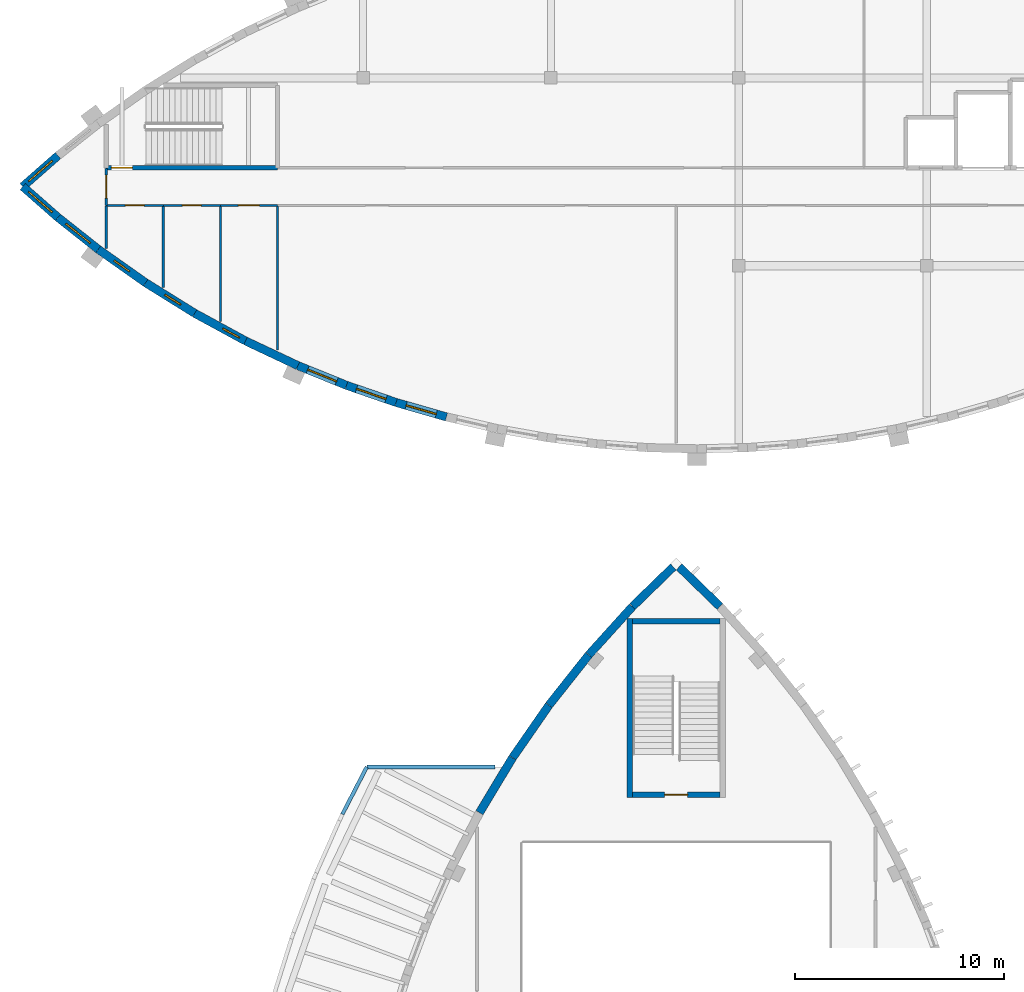
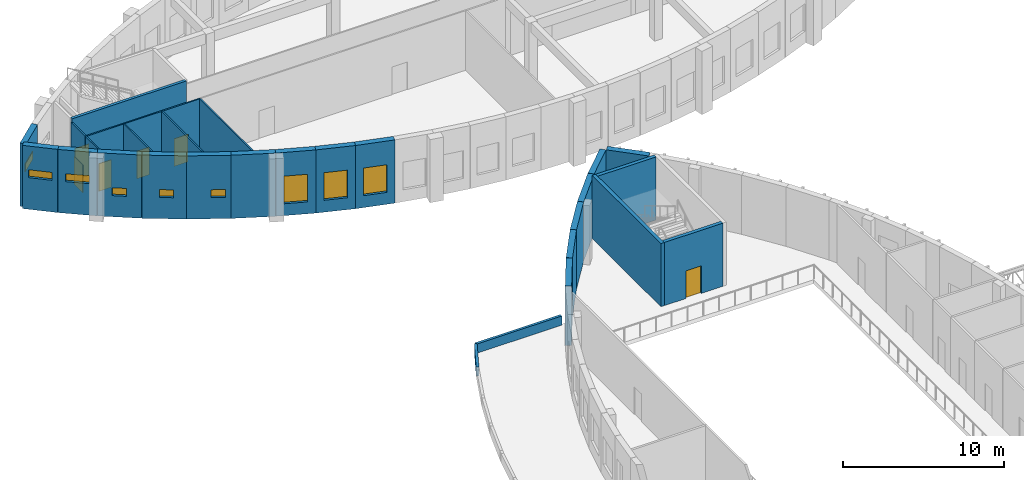
# One storey, part 64 of 93: 30 walls, 9 windows, 6 doors, 15 openings.
"""IFC4 building model written with IfcOpenShell, lengths in metres."""

from ifc_helpers import new_model, si_unit, direction, frame, frame_2d, origin, place, context, subcontext, project, spatial, rectangle, extrude, material, layer, layer_set, type_object, element, fill, save


model = new_model("IFC4")

# Units and contexts
model_context = context("Model", 3, precision=1e-05, world=origin(), true_north=direction((0.0, 1.0)))
body_context = subcontext(model_context, "Body", "Model", "MODEL_VIEW")
ifc_project = project(units=[si_unit("LENGTHUNIT", "METRE"), si_unit("AREAUNIT", "SQUARE_METRE"), si_unit("VOLUMEUNIT", "CUBIC_METRE"), si_unit("PLANEANGLEUNIT", "RADIAN"), si_unit("MASSUNIT", "GRAM", prefix="KILO")], contexts=[model_context])

# Site, building, storey
site_placement = place(None, origin())
site = spatial("IfcSite", under=ifc_project, at=site_placement, CompositionType="ELEMENT")
building_placement = place(site_placement, origin())
building = spatial("IfcBuilding", under=site, at=building_placement, Name="Tide Square Theatres", CompositionType="ELEMENT")
storey_placement = place(building_placement, frame((0.0, 0.0, 5.39990234375)))
storey = spatial("IfcBuildingStorey", under=building, at=storey_placement, Name="L01", CompositionType="ELEMENT", Elevation=5.39990234375)

# Wall
ifc_material_1 = material(Name="Gypsum board on steel studs", Category="steel")
ifc_layer_1 = layer(ifc_material_1, 0.10009765625)
ifc_layer_set_1 = layer_set([ifc_layer_1], Name="Gypsum board on steel studs")
wall_type_1 = type_object("IfcWallType", Name="Partition 100 thick", PredefinedType="PARTITIONING", material=ifc_layer_set_1)
wall_1_placement = place(storey_placement, frame((8.699951171875, 94.8291015625, 0.0), z_axis=(0.0, 0.0, 1.0), x_axis=(0.0, 1.0, 0.0)))
element("IfcWall", 1, at=wall_1_placement, inside=storey, type_object=wall_type_1, Name="Scenery Workshops partition", PredefinedType="PARTITIONING", context=body_context, shape_type="SweptSolid", body=[
    extrude(rectangle(XDim=2.041015625, YDim=0.10009765625, at=frame_2d((1.0205078125, 0.0))), origin(), (0.0, 0.0, 1.0), 4.52001953125),
])

# Wall, opening, door
wall_2_placement = place(storey_placement, frame((11.433349609375, 96.89990234375, 0.0), z_axis=(0.0, 0.0, 1.0), x_axis=(-1.0, 0.0, 0.0)))
wall_2 = element("IfcWall", 2, at=wall_2_placement, inside=storey, type_object=wall_type_1, Name="Scenery Workshops partition", PredefinedType="PARTITIONING", context=body_context, shape_type="SweptSolid", body=[
    extrude(rectangle(XDim=2.7333984375, YDim=0.10009765625, at=frame_2d((1.36669921875, 0.0))), origin(), (0.0, 0.0, 1.0), 4.52001953125),
])
opening_1_placement = place(wall_2_placement, frame((0.916748046875, 0.0, 0.0)))
opening_1 = element("IfcOpeningElement", 3, at=opening_1_placement, cuts=wall_2, Name="Opening W1-01", PredefinedType="OPENING", context=body_context, shape_type="SweptSolid", body=[
    extrude(rectangle(XDim=0.89990234375, YDim=2.10009765625, at=frame_2d((0.449951171875, 1.050048828125))), frame((0.0, 0.06005859375, 0.0), z_axis=(0.0, -1.0, 0.0), x_axis=(1.0, 0.0, 0.0)), (0.0, 0.0, 1.0), 0.1201171875),
])
ifc_material_2 = material(Name="Hardwood timber", Category="wood")
door_type_1 = type_object("IfcDoorType", Name="Door 900 x 2100 single leaf", OperationType="NOTDEFINED", PredefinedType="DOOR", material=ifc_material_2)
door_1_placement = place(opening_1_placement, origin())
door_1 = element("IfcDoor", 4, at=door_1_placement, inside=storey, type_object=door_type_1, Name="Scenery Workshops door W1-01 to Gents WC W", OperationType="SINGLE_SWING_RIGHT", OverallHeight=2.10009765625, OverallWidth=0.89990234375, PredefinedType="DOOR", context=body_context, shape_type="SweptSolid", body=[
    extrude(rectangle(XDim=0.89990234375, YDim=2.10009765625, at=frame_2d((0.449951171875, 1.050048828125))), frame((0.0, 0.02490234375, 0.0), z_axis=(0.0, -1.0, 0.0), x_axis=(1.0, 0.0, 0.0)), (0.0, 0.0, 1.0), 0.050048828125),
])
fill(opening_1, door_1)

wall_3_placement = place(storey_placement, frame((8.699951171875, 96.89990234375, 0.0), z_axis=(0.0, 0.0, 1.0), x_axis=(0.0, 1.0, 0.0)))
wall_3 = element("IfcWall", 5, at=wall_3_placement, inside=storey, type_object=wall_type_1, Name="Scenery Workshops partition", PredefinedType="PARTITIONING", context=body_context, shape_type="SweptSolid", body=[
    extrude(rectangle(XDim=1.77001953125, YDim=0.10009765625, at=frame_2d((0.885009765625, 0.0))), origin(), (0.0, 0.0, 1.0), 4.52001953125),
])
opening_2_placement = place(wall_3_placement, frame((0.35009765625, 0.0, 0.0)))
opening_2 = element("IfcOpeningElement", 6, at=opening_2_placement, cuts=wall_3, Name="Opening W1-07", PredefinedType="OPENING", context=body_context, shape_type="SweptSolid", body=[
    extrude(rectangle(XDim=1.10009765625, YDim=2.10009765625, at=frame_2d((0.550048828125, 1.050048828125))), frame((0.0, 0.06005859375, 0.0), z_axis=(0.0, -1.0, 0.0), x_axis=(1.0, 0.0, 0.0)), (0.0, 0.0, 1.0), 0.1201171875),
])
ifc_material_3 = material(Name="Painted steel", Category="steel")
door_type_2 = type_object("IfcDoorType", Name="Door 1100 x 2100 single leaf", OperationType="NOTDEFINED", PredefinedType="DOOR", material=ifc_material_3)
door_2_placement = place(opening_2_placement, origin())
door_2 = element("IfcDoor", 7, at=door_2_placement, inside=storey, type_object=door_type_2, Name="Scenery Workshops door W1-07 to Plant Room W", OperationType="SINGLE_SWING_RIGHT", OverallHeight=2.10009765625, OverallWidth=1.10009765625, PredefinedType="DOOR", context=body_context, shape_type="SweptSolid", body=[
    extrude(rectangle(XDim=1.10009765625, YDim=2.10009765625, at=frame_2d((0.550048828125, 1.050048828125))), frame((0.0, 0.02490234375, 0.0), z_axis=(0.0, -1.0, 0.0), x_axis=(1.0, 0.0, 0.0)), (0.0, 0.0, 1.0), 0.050048828125),
])
fill(opening_2, door_2)

# Wall
wall_4_placement = place(storey_placement, frame((11.433349609375, 96.860107421875, 0.0), z_axis=(0.0, 0.0, 1.0), x_axis=(0.0, -1.0, 0.0)))
element("IfcWall", 8, at=wall_4_placement, inside=storey, type_object=wall_type_1, Name="Scenery Workshops partition", PredefinedType="PARTITIONING", context=body_context, shape_type="SweptSolid", body=[
    extrude(rectangle(XDim=3.900390625, YDim=0.10009765625, at=frame_2d((1.9501953125, 0.0))), origin(), (0.0, 0.0, 1.0), 4.52001953125),
])

# Wall, opening, door
wall_5_placement = place(storey_placement, frame((14.166748046875, 96.89990234375, 0.0), z_axis=(0.0, 0.0, 1.0), x_axis=(-1.0, 0.0, 0.0)))
wall_5 = element("IfcWall", 9, at=wall_5_placement, inside=storey, type_object=wall_type_1, Name="Scenery Workshops partition", PredefinedType="PARTITIONING", context=body_context, shape_type="SweptSolid", body=[
    extrude(rectangle(XDim=2.7333984375, YDim=0.10009765625, at=frame_2d((1.36669921875, 0.0))), origin(), (0.0, 0.0, 1.0), 4.52001953125),
])
opening_3_placement = place(wall_5_placement, frame((0.916748046875, 0.0, 0.0)))
opening_3 = element("IfcOpeningElement", 10, at=opening_3_placement, cuts=wall_5, Name="Opening W1-02", PredefinedType="OPENING", context=body_context, shape_type="SweptSolid", body=[
    extrude(rectangle(XDim=0.89990234375, YDim=2.10009765625, at=frame_2d((0.449951171875, 1.050048828125))), frame((0.0, 0.06005859375, 0.0), z_axis=(0.0, -1.0, 0.0), x_axis=(1.0, 0.0, 0.0)), (0.0, 0.0, 1.0), 0.1201171875),
])
door_3_placement = place(opening_3_placement, origin())
door_3 = element("IfcDoor", 11, at=door_3_placement, inside=storey, type_object=door_type_1, Name="Scenery Workshops door W1-02 to Ladies WC W", OperationType="SINGLE_SWING_RIGHT", OverallHeight=2.10009765625, OverallWidth=0.89990234375, PredefinedType="DOOR", context=body_context, shape_type="SweptSolid", body=[
    extrude(rectangle(XDim=0.89990234375, YDim=2.10009765625, at=frame_2d((0.449951171875, 1.050048828125))), frame((0.0, 0.02490234375, 0.0), z_axis=(0.0, -1.0, 0.0), x_axis=(1.0, 0.0, 0.0)), (0.0, 0.0, 1.0), 0.050048828125),
])
fill(opening_3, door_3)

# Wall
wall_6_placement = place(storey_placement, frame((14.166748046875, 96.860107421875, 0.0), z_axis=(0.0, 0.0, 1.0), x_axis=(0.0, -1.0, 0.0)))
element("IfcWall", 12, at=wall_6_placement, inside=storey, type_object=wall_type_1, Name="Scenery Workshops partition", PredefinedType="PARTITIONING", context=body_context, shape_type="SweptSolid", body=[
    extrude(rectangle(XDim=5.51513671875, YDim=0.10009765625, at=frame_2d((2.757568359375, 0.0))), origin(), (0.0, 0.0, 1.0), 4.52001953125),
])

# Wall, opening, door
wall_7_placement = place(storey_placement, frame((16.89990234375, 96.89990234375, 0.0), z_axis=(0.0, 0.0, 1.0), x_axis=(-1.0, 0.0, 0.0)))
wall_7 = element("IfcWall", 13, at=wall_7_placement, inside=storey, type_object=wall_type_1, Name="Scenery Workshops partition", PredefinedType="PARTITIONING", context=body_context, shape_type="SweptSolid", body=[
    extrude(rectangle(XDim=2.733154296875, YDim=0.10009765625, at=frame_2d((1.36669921875, 0.0))), origin(), (0.0, 0.0, 1.0), 4.52001953125),
])
opening_4_placement = place(wall_7_placement, frame((0.86669921875, 0.0, 0.0)))
opening_4 = element("IfcOpeningElement", 14, at=opening_4_placement, cuts=wall_7, Name="Opening W1-03", PredefinedType="OPENING", context=body_context, shape_type="SweptSolid", body=[
    extrude(rectangle(XDim=1.0, YDim=2.10009765625, at=frame_2d((0.5, 1.050048828125))), frame((0.0, 0.06005859375, 0.0), z_axis=(0.0, -1.0, 0.0), x_axis=(1.0, 0.0, 0.0)), (0.0, 0.0, 1.0), 0.1201171875),
])
ifc_material_4 = material(Name="Hardwood timber", Category="wood")
door_type_3 = type_object("IfcDoorType", Name="Door 1000 x 2100 single leaf", OperationType="NOTDEFINED", PredefinedType="DOOR", material=ifc_material_4)
door_4_placement = place(opening_4_placement, origin())
door_4 = element("IfcDoor", 15, at=door_4_placement, inside=storey, type_object=door_type_3, Name="Scenery Workshops door W1-03 to Accessible WC W", OperationType="SINGLE_SWING_RIGHT", OverallHeight=2.10009765625, OverallWidth=1.0, PredefinedType="DOOR", context=body_context, shape_type="SweptSolid", body=[
    extrude(rectangle(XDim=1.0, YDim=2.10009765625, at=frame_2d((0.5, 1.050048828125))), frame((0.0, 0.02490234375, 0.0), z_axis=(0.0, -1.0, 0.0), x_axis=(1.0, 0.0, 0.0)), (0.0, 0.0, 1.0), 0.050048828125),
])
fill(opening_4, door_4)

# Walls
wall_8_placement = place(storey_placement, frame((16.89990234375, 96.8701171875, 0.0), z_axis=(0.0, 0.0, 1.0), x_axis=(0.0, -1.0, 0.0)))
element("IfcWall", 16, at=wall_8_placement, inside=storey, type_object=wall_type_1, Name="Scenery Workshops partition", PredefinedType="PARTITIONING", context=body_context, shape_type="SweptSolid", body=[
    extrude(rectangle(XDim=6.909912109375, YDim=0.10009765625, at=frame_2d((3.455078125, 0.0))), origin(), (0.0, 0.0, 1.0), 4.52001953125),
])
ifc_material_5 = material(Name="Concrete C40", Category="concrete")
ifc_layer_2 = layer(ifc_material_5, 0.39990234375)
ifc_layer_set_2 = layer_set([ifc_layer_2], Name="Concrete C40")
wall_type_2 = type_object("IfcWallType", Name="RC curved wall 400 thick", PredefinedType="SOLIDWALL", material=ifc_layer_set_2)
for number, where, z_axis, x_axis, name in (
    (17, (38.094482421875, 77.686279296875, 0.0), (0.0, 0.0, 1.0), (-0.717243568607, 0.696822547922, 0.0), "Studio Theatre perimeter wall"),
    (18, (35.860595703125, 79.585693359375, 0.0), (0.0, 0.0, 1.0), (-0.717243568607, -0.696822547922, 0.0), "Studio Theatre perimeter wall"),
):
    element("IfcWall", number, at=place(storey_placement, frame(where, z_axis=z_axis, x_axis=x_axis)), inside=storey, type_object=wall_type_2, Name=name, PredefinedType="SOLIDWALL", context=body_context, shape_type="SweptSolid", body=[
        extrude(rectangle(XDim=2.725830078125, YDim=0.39990234375, at=frame_2d((1.36279296875, 0.0))), origin(), (0.0, 0.0, 1.0), 4.5),
    ])
wall_9_placement = place(storey_placement, frame((33.896484375, 77.677001953125, 0.0), z_axis=(0.0, 0.0, 1.0), x_axis=(-0.67038553216, -0.742012963681, 0.0)))
element("IfcWall", 19, at=wall_9_placement, inside=storey, type_object=wall_type_2, Name="Studio Theatre perimeter wall", PredefinedType="SOLIDWALL", context=body_context, shape_type="SweptSolid", body=[
    extrude(rectangle(XDim=3.101806640625, YDim=0.39990234375, at=frame_2d((1.55078125, 0.0))), origin(), (0.0, 0.0, 1.0), 4.5),
])
for number, where, z_axis, x_axis, name in (
    (20, (31.808837890625, 75.36572265625, 0.0), (0.0, 0.0, 1.0), (-0.620958553355, -0.783843399548, 0.0), "Studio Theatre perimeter wall"),
    (21, (29.90234375, 72.95849609375, 0.0), (0.0, 0.0, 1.0), (-0.569371892655, -0.822080073871, 0.0), "Studio Theatre perimeter wall"),
):
    element("IfcWall", number, at=place(storey_placement, frame(where, z_axis=z_axis, x_axis=x_axis)), inside=storey, type_object=wall_type_2, Name=name, PredefinedType="SOLIDWALL", context=body_context, shape_type="SweptSolid", body=[
        extrude(rectangle(XDim=3.0576171875, YDim=0.39990234375, at=frame_2d((1.52880859375, 0.0))), origin(), (0.0, 0.0, 1.0), 4.5),
    ])
wall_10_placement = place(storey_placement, frame((28.154296875, 70.43408203125, 0.0), z_axis=(0.0, 0.0, 1.0), x_axis=(-0.515387841983, -0.856957042293, 0.0)))
element("IfcWall", 22, at=wall_10_placement, inside=storey, type_object=wall_type_2, Name="Studio Theatre perimeter wall", PredefinedType="SOLIDWALL", context=body_context, shape_type="SweptSolid", body=[
    extrude(rectangle(XDim=3.057861328125, YDim=0.39990234375, at=frame_2d((1.52880859375, 0.0))), origin(), (0.0, 0.0, 1.0), 4.5),
])

# Wall, opening, window
wall_11_placement = place(storey_placement, frame((4.703125, 97.800048828125, 0.0), z_axis=(0.0, 0.0, 1.0), x_axis=(0.751212351098, -0.660060605973, 0.0)))
wall_11 = element("IfcWall", 23, at=wall_11_placement, inside=storey, type_object=wall_type_2, Name="Scenery Workshops perimeter wall 000", PredefinedType="SOLIDWALL", context=body_context, shape_type="SweptSolid", body=[
    extrude(rectangle(XDim=2.24169921875, YDim=0.39990234375, at=frame_2d((1.120849609375, 0.0))), origin(), (0.0, 0.0, 1.0), 4.800048828125),
])
opening_5_placement = place(wall_11_placement, frame((0.370849609375, 0.0, 2.39990234375)))
opening_5 = element("IfcOpeningElement", 24, at=opening_5_placement, cuts=wall_11, Name="Opening WN-05", PredefinedType="OPENING", context=body_context, shape_type="SweptSolid", body=[
    extrude(rectangle(XDim=1.5, YDim=0.60009765625, at=frame_2d((0.75, 0.300048828125))), frame((0.0, 0.2099609375, 0.0), z_axis=(0.0, -1.0, 0.0), x_axis=(1.0, 0.0, 0.0)), (0.0, 0.0, 1.0), 0.419921875),
])
ifc_material_6 = material(Name="Aluminium with laminated glass", Category="aluminium")
window_type_1 = type_object("IfcWindowType", Name="Window 1500 x 600", PartitioningType="SINGLE_PANEL", PredefinedType="WINDOW", material=ifc_material_6)
window_1_placement = place(opening_5_placement, origin())
window_1 = element("IfcWindow", 25, at=window_1_placement, inside=storey, type_object=window_type_1, Name="Scenery Workshops window L01-44", OverallHeight=0.60009765625, OverallWidth=1.5, PartitioningType="SINGLE_PANEL", PredefinedType="WINDOW", context=body_context, shape_type="SweptSolid", body=[
    extrude(rectangle(XDim=1.5, YDim=0.60009765625, at=frame_2d((0.75, 0.300048828125))), frame((0.0, 0.030029296875, 0.0), z_axis=(0.0, -1.0, 0.0), x_axis=(1.0, 0.0, 0.0)), (0.0, 0.0, 1.0), 0.06005859375),
])
fill(opening_5, window_1)

wall_12_placement = place(storey_placement, frame((6.38720703125, 96.3203125, 0.0), z_axis=(0.0, 0.0, 1.0), x_axis=(0.784278812541, -0.620408530082, 0.0)))
wall_12 = element("IfcWall", 26, at=wall_12_placement, inside=storey, type_object=wall_type_2, Name="Scenery Workshops perimeter wall 001", PredefinedType="SOLIDWALL", context=body_context, shape_type="SweptSolid", body=[
    extrude(rectangle(XDim=2.464111328125, YDim=0.39990234375, at=frame_2d((1.23193359375, 0.0))), origin(), (0.0, 0.0, 1.0), 4.800048828125),
])
opening_6_placement = place(wall_12_placement, frame((0.48193359375, 0.0, 2.39990234375)))
opening_6 = element("IfcOpeningElement", 27, at=opening_6_placement, cuts=wall_12, Name="Opening WN-05", PredefinedType="OPENING", context=body_context, shape_type="SweptSolid", body=[
    extrude(rectangle(XDim=1.5, YDim=0.60009765625, at=frame_2d((0.75, 0.300048828125))), frame((0.0, 0.2099609375, 0.0), z_axis=(0.0, -1.0, 0.0), x_axis=(1.0, 0.0, 0.0)), (0.0, 0.0, 1.0), 0.419921875),
])
window_2_placement = place(opening_6_placement, origin())
window_2 = element("IfcWindow", 28, at=window_2_placement, inside=storey, type_object=window_type_1, Name="Scenery Workshops window L01-45", OverallHeight=0.60009765625, OverallWidth=1.5, PartitioningType="SINGLE_PANEL", PredefinedType="WINDOW", context=body_context, shape_type="SweptSolid", body=[
    extrude(rectangle(XDim=1.5, YDim=0.60009765625, at=frame_2d((0.75, 0.300048828125))), frame((0.0, 0.030029296875, 0.0), z_axis=(0.0, -1.0, 0.0), x_axis=(1.0, 0.0, 0.0)), (0.0, 0.0, 1.0), 0.06005859375),
])
fill(opening_6, window_2)

wall_13_placement = place(storey_placement, frame((8.31982421875, 94.79150390625, 0.0), z_axis=(0.0, 0.0, 1.0), x_axis=(0.817028877428, -0.576596751161, 0.0)))
wall_13 = element("IfcWall", 29, at=wall_13_placement, inside=storey, type_object=wall_type_2, Name="Scenery Workshops perimeter wall 002", PredefinedType="SOLIDWALL", context=body_context, shape_type="SweptSolid", body=[
    extrude(rectangle(XDim=2.772216796875, YDim=0.39990234375, at=frame_2d((1.38623046875, 0.0))), origin(), (0.0, 0.0, 1.0), 4.800048828125),
])
opening_7_placement = place(wall_13_placement, frame((0.93603515625, 0.0, 1.60009765625)))
opening_7 = element("IfcOpeningElement", 30, at=opening_7_placement, cuts=wall_13, Name="Opening WN-12", PredefinedType="OPENING", context=body_context, shape_type="SweptSolid", body=[
    extrude(rectangle(XDim=0.89990234375, YDim=0.60009765625, at=frame_2d((0.449951171875, 0.300048828125))), frame((0.0, 0.2099609375, 0.0), z_axis=(0.0, -1.0, 0.0), x_axis=(1.0, 0.0, 0.0)), (0.0, 0.0, 1.0), 0.419921875),
])
ifc_material_7 = material(Name="Aluminium with laminated glass", Category="aluminium")
window_type_2 = type_object("IfcWindowType", Name="Window 900 x 600", PartitioningType="SINGLE_PANEL", PredefinedType="WINDOW", material=ifc_material_7)
window_3_placement = place(opening_7_placement, origin())
window_3 = element("IfcWindow", 31, at=window_3_placement, inside=storey, type_object=window_type_2, Name="Scenery Workshops window L01-46", OverallHeight=0.60009765625, OverallWidth=0.89990234375, PartitioningType="SINGLE_PANEL", PredefinedType="WINDOW", context=body_context, shape_type="SweptSolid", body=[
    extrude(rectangle(XDim=0.89990234375, YDim=0.60009765625, at=frame_2d((0.449951171875, 0.300048828125))), frame((0.0, 0.030029296875, 0.0), z_axis=(0.0, -1.0, 0.0), x_axis=(1.0, 0.0, 0.0)), (0.0, 0.0, 1.0), 0.06005859375),
])
fill(opening_7, window_3)

wall_14_placement = place(storey_placement, frame((10.584716796875, 93.193115234375, 0.0), z_axis=(0.0, 0.0, 1.0), x_axis=(0.84912946359, -0.528184772653, 0.0)))
wall_14 = element("IfcWall", 32, at=wall_14_placement, inside=storey, type_object=wall_type_2, Name="Scenery Workshops perimeter wall 003", PredefinedType="SOLIDWALL", context=body_context, shape_type="SweptSolid", body=[
    extrude(rectangle(XDim=2.77197265625, YDim=0.39990234375, at=frame_2d((1.385986328125, 0.0))), origin(), (0.0, 0.0, 1.0), 4.800048828125),
])
opening_8_placement = place(wall_14_placement, frame((1.0859375, 0.0, 1.60009765625)))
opening_8 = element("IfcOpeningElement", 33, at=opening_8_placement, cuts=wall_14, Name="Opening WN-12", PredefinedType="OPENING", context=body_context, shape_type="SweptSolid", body=[
    extrude(rectangle(XDim=0.89990234375, YDim=0.60009765625, at=frame_2d((0.449951171875, 0.300048828125))), frame((0.0, 0.2099609375, 0.0), z_axis=(0.0, -1.0, 0.0), x_axis=(1.0, 0.0, 0.0)), (0.0, 0.0, 1.0), 0.419921875),
])
window_4_placement = place(opening_8_placement, origin())
window_4 = element("IfcWindow", 34, at=window_4_placement, inside=storey, type_object=window_type_2, Name="Scenery Workshops window L01-47", OverallHeight=0.60009765625, OverallWidth=0.89990234375, PartitioningType="SINGLE_PANEL", PredefinedType="WINDOW", context=body_context, shape_type="SweptSolid", body=[
    extrude(rectangle(XDim=0.89990234375, YDim=0.60009765625, at=frame_2d((0.449951171875, 0.300048828125))), frame((0.0, 0.030029296875, 0.0), z_axis=(0.0, -1.0, 0.0), x_axis=(1.0, 0.0, 0.0)), (0.0, 0.0, 1.0), 0.06005859375),
])
fill(opening_8, window_4)

wall_15_placement = place(storey_placement, frame((12.9384765625, 91.72900390625, 0.0), z_axis=(0.0, 0.0, 1.0), x_axis=(0.878292493566, -0.478123724308, 0.0)))
wall_15 = element("IfcWall", 35, at=wall_15_placement, inside=storey, type_object=wall_type_2, Name="Scenery Workshops perimeter wall 004", PredefinedType="SOLIDWALL", context=body_context, shape_type="SweptSolid", body=[
    extrude(rectangle(XDim=2.771728515625, YDim=0.39990234375, at=frame_2d((1.3857421875, 0.0))), origin(), (0.0, 0.0, 1.0), 4.800048828125),
])
opening_9_placement = place(wall_15_placement, frame((1.535888671875, 0.0, 1.60009765625)))
opening_9 = element("IfcOpeningElement", 36, at=opening_9_placement, cuts=wall_15, Name="Opening WN-12", PredefinedType="OPENING", context=body_context, shape_type="SweptSolid", body=[
    extrude(rectangle(XDim=0.89990234375, YDim=0.60009765625, at=frame_2d((0.449951171875, 0.300048828125))), frame((0.0, 0.2099609375, 0.0), z_axis=(0.0, -1.0, 0.0), x_axis=(1.0, 0.0, 0.0)), (0.0, 0.0, 1.0), 0.419921875),
])
window_5_placement = place(opening_9_placement, origin())
window_5 = element("IfcWindow", 37, at=window_5_placement, inside=storey, type_object=window_type_2, Name="Scenery Workshops window L01-48", OverallHeight=0.60009765625, OverallWidth=0.89990234375, PartitioningType="SINGLE_PANEL", PredefinedType="WINDOW", context=body_context, shape_type="SweptSolid", body=[
    extrude(rectangle(XDim=0.89990234375, YDim=0.60009765625, at=frame_2d((0.449951171875, 0.300048828125))), frame((0.0, 0.030029296875, 0.0), z_axis=(0.0, -1.0, 0.0), x_axis=(1.0, 0.0, 0.0)), (0.0, 0.0, 1.0), 0.06005859375),
])
fill(opening_9, window_5)

# Wall
wall_16_placement = place(storey_placement, frame((15.372802734375, 90.40380859375, 0.0), z_axis=(0.0, 0.0, 1.0), x_axis=(0.904527098751, -0.42641614372, 0.0)))
element("IfcWall", 38, at=wall_16_placement, inside=storey, type_object=wall_type_2, Name="Scenery Workshops perimeter wall 005", PredefinedType="SOLIDWALL", context=body_context, shape_type="SweptSolid", body=[
    extrude(rectangle(XDim=2.772216796875, YDim=0.39990234375, at=frame_2d((1.38623046875, 0.0))), origin(), (0.0, 0.0, 1.0), 4.800048828125),
])

# Wall, opening, window
wall_17_placement = place(storey_placement, frame((17.88037109375, 89.2216796875, 0.0), z_axis=(0.0, 0.0, 1.0), x_axis=(0.926722795862, -0.375745738007, 0.0)))
wall_17 = element("IfcWall", 39, at=wall_17_placement, inside=storey, type_object=wall_type_2, Name="Scenery Workshops perimeter wall 006", PredefinedType="SOLIDWALL", context=body_context, shape_type="SweptSolid", body=[
    extrude(rectangle(XDim=2.5107421875, YDim=0.39990234375, at=frame_2d((1.25537109375, 0.0))), origin(), (0.0, 0.0, 1.0), 4.800048828125),
])
opening_10_placement = place(wall_17_placement, frame((0.50537109375, 0.0, 0.89990234375)))
opening_10 = element("IfcOpeningElement", 40, at=opening_10_placement, cuts=wall_17, Name="Opening WN-01", PredefinedType="OPENING", context=body_context, shape_type="SweptSolid", body=[
    extrude(rectangle(XDim=1.5, YDim=2.10009765625, at=frame_2d((0.75, 1.050048828125))), frame((0.0, 0.2099609375, 0.0), z_axis=(0.0, -1.0, 0.0), x_axis=(1.0, 0.0, 0.0)), (0.0, 0.0, 1.0), 0.419921875),
])
ifc_material_8 = material(Name="Aluminium with laminated glass", Category="aluminium")
window_type_3 = type_object("IfcWindowType", Name="Window 1500 x 2100", PartitioningType="SINGLE_PANEL", PredefinedType="WINDOW", material=ifc_material_8)
window_6_placement = place(opening_10_placement, origin())
window_6 = element("IfcWindow", 41, at=window_6_placement, inside=storey, type_object=window_type_3, Name="Scenery Workshops window L01-49", OverallHeight=2.10009765625, OverallWidth=1.5, PartitioningType="SINGLE_PANEL", PredefinedType="WINDOW", context=body_context, shape_type="SweptSolid", body=[
    extrude(rectangle(XDim=1.5, YDim=2.10009765625, at=frame_2d((0.75, 1.050048828125))), frame((0.0, 0.030029296875, 0.0), z_axis=(0.0, -1.0, 0.0), x_axis=(1.0, 0.0, 0.0)), (0.0, 0.0, 1.0), 0.06005859375),
])
fill(opening_10, window_6)

wall_18_placement = place(storey_placement, frame((20.20703125, 88.2783203125, 0.0), z_axis=(0.0, 0.0, 1.0), x_axis=(0.94514546406, -0.326649738659, 0.0)))
wall_18 = element("IfcWall", 42, at=wall_18_placement, inside=storey, type_object=wall_type_2, Name="Scenery Workshops perimeter wall 007", PredefinedType="SOLIDWALL", context=body_context, shape_type="SweptSolid", body=[
    extrude(rectangle(XDim=2.51123046875, YDim=0.39990234375, at=frame_2d((1.255615234375, 0.0))), origin(), (0.0, 0.0, 1.0), 4.800048828125),
])
opening_11_placement = place(wall_18_placement, frame((0.505615234375, 0.0, 0.89990234375)))
opening_11 = element("IfcOpeningElement", 43, at=opening_11_placement, cuts=wall_18, Name="Opening WN-01", PredefinedType="OPENING", context=body_context, shape_type="SweptSolid", body=[
    extrude(rectangle(XDim=1.5, YDim=2.10009765625, at=frame_2d((0.75, 1.050048828125))), frame((0.0, 0.2099609375, 0.0), z_axis=(0.0, -1.0, 0.0), x_axis=(1.0, 0.0, 0.0)), (0.0, 0.0, 1.0), 0.419921875),
])
window_7_placement = place(opening_11_placement, origin())
window_7 = element("IfcWindow", 44, at=window_7_placement, inside=storey, type_object=window_type_3, Name="Scenery Workshops window L01-50", OverallHeight=2.10009765625, OverallWidth=1.5, PartitioningType="SINGLE_PANEL", PredefinedType="WINDOW", context=body_context, shape_type="SweptSolid", body=[
    extrude(rectangle(XDim=1.5, YDim=2.10009765625, at=frame_2d((0.75, 1.050048828125))), frame((0.0, 0.030029296875, 0.0), z_axis=(0.0, -1.0, 0.0), x_axis=(1.0, 0.0, 0.0)), (0.0, 0.0, 1.0), 0.06005859375),
])
fill(opening_11, window_7)

wall_19_placement = place(storey_placement, frame((22.58056640625, 87.4580078125, 0.0), z_axis=(0.0, 0.0, 1.0), x_axis=(0.961008605775, -0.276518461637, 0.0)))
wall_19 = element("IfcWall", 45, at=wall_19_placement, inside=storey, type_object=wall_type_2, Name="Scenery Workshops perimeter wall 008", PredefinedType="SOLIDWALL", context=body_context, shape_type="SweptSolid", body=[
    extrude(rectangle(XDim=2.510986328125, YDim=0.39990234375, at=frame_2d((1.25537109375, 0.0))), origin(), (0.0, 0.0, 1.0), 4.800048828125),
])
opening_12_placement = place(wall_19_placement, frame((0.505615234375, 0.0, 0.89990234375)))
opening_12 = element("IfcOpeningElement", 46, at=opening_12_placement, cuts=wall_19, Name="Opening WN-01", PredefinedType="OPENING", context=body_context, shape_type="SweptSolid", body=[
    extrude(rectangle(XDim=1.5, YDim=2.10009765625, at=frame_2d((0.75, 1.050048828125))), frame((0.0, 0.2099609375, 0.0), z_axis=(0.0, -1.0, 0.0), x_axis=(1.0, 0.0, 0.0)), (0.0, 0.0, 1.0), 0.419921875),
])
window_8_placement = place(opening_12_placement, origin())
window_8 = element("IfcWindow", 47, at=window_8_placement, inside=storey, type_object=window_type_3, Name="Scenery Workshops window L01-51", OverallHeight=2.10009765625, OverallWidth=1.5, PartitioningType="SINGLE_PANEL", PredefinedType="WINDOW", context=body_context, shape_type="SweptSolid", body=[
    extrude(rectangle(XDim=1.5, YDim=2.10009765625, at=frame_2d((0.75, 1.050048828125))), frame((0.0, 0.030029296875, 0.0), z_axis=(0.0, -1.0, 0.0), x_axis=(1.0, 0.0, 0.0)), (0.0, 0.0, 1.0), 0.06005859375),
])
fill(opening_12, window_8)

wall_20_placement = place(storey_placement, frame((6.38720703125, 99.27978515625, 0.0), z_axis=(0.0, 0.0, 1.0), x_axis=(-0.751212351098, -0.660060605973, 0.0)))
wall_20 = element("IfcWall", 48, at=wall_20_placement, inside=storey, type_object=wall_type_2, Name="Scenery Workshops perimeter wall 055", PredefinedType="SOLIDWALL", context=body_context, shape_type="SweptSolid", body=[
    extrude(rectangle(XDim=2.24169921875, YDim=0.39990234375, at=frame_2d((1.120849609375, 0.0))), origin(), (0.0, 0.0, 1.0), 4.800048828125),
])
opening_13_placement = place(wall_20_placement, frame((0.370849609375, 0.0, 2.39990234375)))
opening_13 = element("IfcOpeningElement", 49, at=opening_13_placement, cuts=wall_20, Name="Opening WN-05", PredefinedType="OPENING", context=body_context, shape_type="SweptSolid", body=[
    extrude(rectangle(XDim=1.5, YDim=0.60009765625, at=frame_2d((0.75, 0.300048828125))), frame((0.0, 0.2099609375, 0.0), z_axis=(0.0, -1.0, 0.0), x_axis=(1.0, 0.0, 0.0)), (0.0, 0.0, 1.0), 0.419921875),
])
window_9_placement = place(opening_13_placement, origin())
window_9 = element("IfcWindow", 50, at=window_9_placement, inside=storey, type_object=window_type_1, Name="Scenery Workshops window L01-91", OverallHeight=0.60009765625, OverallWidth=1.5, PartitioningType="SINGLE_PANEL", PredefinedType="WINDOW", context=body_context, shape_type="SweptSolid", body=[
    extrude(rectangle(XDim=1.5, YDim=0.60009765625, at=frame_2d((0.75, 0.300048828125))), frame((0.0, 0.030029296875, 0.0), z_axis=(0.0, -1.0, 0.0), x_axis=(1.0, 0.0, 0.0)), (0.0, 0.0, 1.0), 0.06005859375),
])
fill(opening_13, window_9)

# Walls
ifc_material_9 = material(Name="Concrete C40", Category="concrete")
ifc_layer_3 = layer(ifc_material_9, 0.179931640625)
ifc_layer_set_3 = layer_set([ifc_layer_3], Name="Concrete C40")
wall_type_3 = type_object("IfcWallType", Name="RC parapet 180 thick", PredefinedType="PARAPET", material=ifc_layer_set_3)
wall_21_placement = place(storey_placement, frame((20.009765625, 67.739013671875, 0.0), z_axis=(0.0, 0.0, 1.0), x_axis=(0.459334200234, 0.888263526492, 0.0)))
element("IfcWall", 51, at=wall_21_placement, inside=storey, type_object=wall_type_3, Name="Arcade roof parapet", PredefinedType="PARAPET", context=body_context, shape_type="SweptSolid", body=[
    extrude(rectangle(XDim=2.54541015625, YDim=0.179931640625, at=frame_2d((1.272705078125, 0.0))), origin(), (0.0, 0.0, 1.0), 0.7001953125),
])
wall_22_placement = place(storey_placement, frame((21.178955078125, 70.0, 0.0), z_axis=(0.0, 0.0, 1.0), x_axis=(1.0, 0.0, 0.0)))
element("IfcWall", 52, at=wall_22_placement, inside=storey, type_object=wall_type_3, Name="Arcade roof parapet", PredefinedType="PARAPET", context=body_context, shape_type="SweptSolid", body=[
    extrude(rectangle(XDim=6.130859375, YDim=0.179931640625, at=frame_2d((3.0654296875, 0.0))), origin(), (0.0, 0.0, 1.0), 0.7001953125),
])

# Wall, opening, door
ifc_material_10 = material(Name="Concrete C40", Category="concrete")
ifc_layer_4 = layer(ifc_material_10, 0.199951171875)
ifc_layer_set_4 = layer_set([ifc_layer_4], Name="Concrete C40")
wall_type_4 = type_object("IfcWallType", Name="RC shear wall 200 thick", PredefinedType="SHEAR", material=ifc_layer_set_4)
wall_23_placement = place(storey_placement, frame((16.89990234375, 98.699951171875, 0.0), z_axis=(0.0, 0.0, 1.0), x_axis=(-1.0, 0.0, 0.0)))
wall_23 = element("IfcWall", 53, at=wall_23_placement, inside=storey, type_object=wall_type_4, Name="Scenery Workshops stair enclosure wall", PredefinedType="SHEAR", context=body_context, shape_type="SweptSolid", body=[
    extrude(rectangle(XDim=8.199951171875, YDim=0.199951171875, at=frame_2d((4.10009765625, 0.0))), origin(), (0.0, 0.0, 1.0), 4.800048828125),
])
opening_14_placement = place(wall_23_placement, frame((6.949951171875, 0.0, 0.0)))
opening_14 = element("IfcOpeningElement", 54, at=opening_14_placement, cuts=wall_23, Name="Opening W1-16", PredefinedType="OPENING", context=body_context, shape_type="SweptSolid", body=[
    extrude(rectangle(XDim=1.0, YDim=2.39990234375, at=frame_2d((0.5, 1.199951171875))), frame((0.0, 0.10986328125, 0.0), z_axis=(0.0, -1.0, 0.0), x_axis=(1.0, 0.0, 0.0)), (0.0, 0.0, 1.0), 0.219970703125),
])
ifc_material_11 = material(Name="Hardwood timber", Category="wood")
door_type_4 = type_object("IfcDoorType", Name="Door 1000 x 2400 single leaf", OperationType="NOTDEFINED", PredefinedType="DOOR", material=ifc_material_11)
door_5_placement = place(opening_14_placement, origin())
door_5 = element("IfcDoor", 55, at=door_5_placement, inside=storey, type_object=door_type_4, Name="Scenery Workshops door W1-16 stair door to Stair 1", OperationType="SINGLE_SWING_RIGHT", OverallHeight=2.39990234375, OverallWidth=1.0, PredefinedType="DOOR", context=body_context, shape_type="SweptSolid", body=[
    extrude(rectangle(XDim=1.0, YDim=2.39990234375, at=frame_2d((0.5, 1.199951171875))), frame((0.0, 0.02490234375, 0.0), z_axis=(0.0, -1.0, 0.0), x_axis=(1.0, 0.0, 0.0)), (0.0, 0.0, 1.0), 0.050048828125),
])
fill(opening_14, door_5)

# Walls
ifc_material_12 = material(Name="Concrete C40", Category="concrete")
ifc_layer_5 = layer(ifc_material_12, 0.25)
ifc_layer_set_5 = layer_set([ifc_layer_5], Name="Concrete C40")
wall_type_5 = type_object("IfcWallType", Name="RC shear wall 250 thick", PredefinedType="SHEAR", material=ifc_layer_set_5)
wall_24_placement = place(storey_placement, frame((33.77490234375, 77.10009765625, 0.0), z_axis=(0.0, 0.0, 1.0), x_axis=(0.0, -1.0, 0.0)))
element("IfcWall", 56, at=wall_24_placement, inside=storey, type_object=wall_type_5, Name="Studio Theatre Stair S1 shaft wall", PredefinedType="SHEAR", context=body_context, shape_type="SweptSolid", body=[
    extrude(rectangle(XDim=8.550048828125, YDim=0.25, at=frame_2d((4.27490234375, 0.0))), origin(), (0.0, 0.0, 1.0), 4.800048828125),
])
wall_25_placement = place(storey_placement, frame((33.89990234375, 76.97509765625, 0.0), z_axis=(0.0, 0.0, 1.0), x_axis=(1.0, 0.0, 0.0)))
element("IfcWall", 57, at=wall_25_placement, inside=storey, type_object=wall_type_5, Name="Studio Theatre Stair S1 shaft wall", PredefinedType="SHEAR", context=body_context, shape_type="SweptSolid", body=[
    extrude(rectangle(XDim=4.2001953125, YDim=0.25, at=frame_2d((2.10009765625, 0.0))), origin(), (0.0, 0.0, 1.0), 4.800048828125),
])

# Wall, opening, door
wall_26_placement = place(storey_placement, frame((38.10009765625, 68.675048828125, 0.0), z_axis=(0.0, 0.0, 1.0), x_axis=(-1.0, 0.0, 0.0)))
wall_26 = element("IfcWall", 58, at=wall_26_placement, inside=storey, type_object=wall_type_5, Name="Studio Theatre Stair S1 shaft wall", PredefinedType="SHEAR", context=body_context, shape_type="SweptSolid", body=[
    extrude(rectangle(XDim=4.2001953125, YDim=0.25, at=frame_2d((2.10009765625, 0.0))), origin(), (0.0, 0.0, 1.0), 4.800048828125),
])
opening_15_placement = place(wall_26_placement, frame((1.550048828125, 0.0, 0.0)))
opening_15 = element("IfcOpeningElement", 59, at=opening_15_placement, cuts=wall_26, Name="Opening S01-15", PredefinedType="OPENING", context=body_context, shape_type="SweptSolid", body=[
    extrude(rectangle(XDim=1.10009765625, YDim=2.10009765625, at=frame_2d((0.550048828125, 1.050048828125))), frame((0.0, 0.135009765625, 0.0), z_axis=(0.0, -1.0, 0.0), x_axis=(1.0, 0.0, 0.0)), (0.0, 0.0, 1.0), 0.27001953125),
])
door_6_placement = place(opening_15_placement, origin())
door_6 = element("IfcDoor", 60, at=door_6_placement, inside=storey, type_object=door_type_2, Name="Studio Theatre stair door", OperationType="SINGLE_SWING_RIGHT", OverallHeight=2.10009765625, OverallWidth=1.10009765625, PredefinedType="DOOR", context=body_context, shape_type="SweptSolid", body=[
    extrude(rectangle(XDim=1.10009765625, YDim=2.10009765625, at=frame_2d((0.550048828125, 1.050048828125))), frame((0.0, 0.02490234375, 0.0), z_axis=(0.0, -1.0, 0.0), x_axis=(1.0, 0.0, 0.0)), (0.0, 0.0, 1.0), 0.050048828125),
])
fill(opening_15, door_6)

save(model, "model.ifc")
